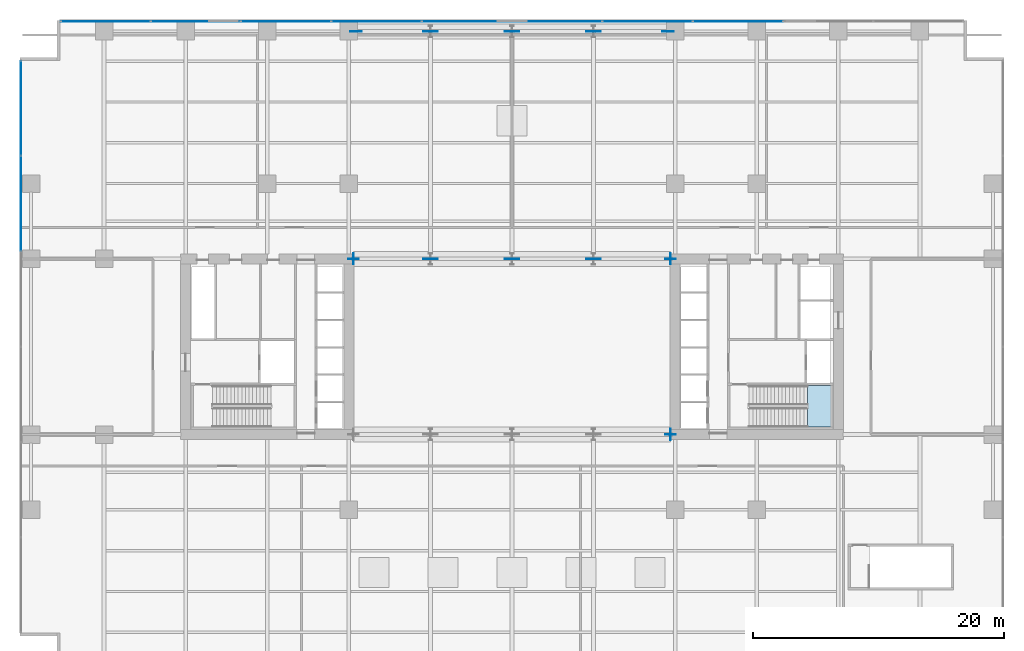
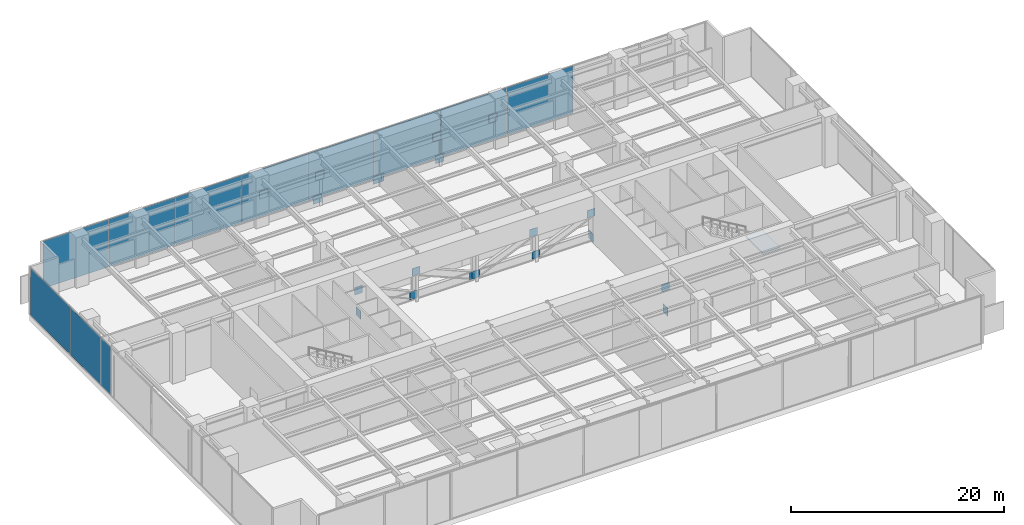
# One storey, part 18 of 25: 30 plates, 1 slab, 3 elements without a shape of their own.
"""IFC4 building model written with IfcOpenShell, lengths in metres."""

from ifc_helpers import new_model, si_unit, direction, frame, origin, origin_2d, place, context, subcontext, project, spatial, polyline, rectangle, outline, extrude, material, layer, layer_set, type_object, element, aggregate, save


model = new_model("IFC4")

# Units and contexts
model_context = context("Model", 3, precision=1e-05, world=origin(), true_north=direction((0.0, 1.0)))
body_context = subcontext(model_context, "Body", "Model", "MODEL_VIEW")
ifc_project = project(units=[si_unit("LENGTHUNIT", "METRE"), si_unit("AREAUNIT", "SQUARE_METRE"), si_unit("VOLUMEUNIT", "CUBIC_METRE"), si_unit("PLANEANGLEUNIT", "RADIAN"), si_unit("MASSUNIT", "GRAM", prefix="KILO")], contexts=[model_context])

# Site, building, storey
site_placement = place(None, origin())
site = spatial("IfcSite", under=ifc_project, at=site_placement, CompositionType="ELEMENT")
building_placement = place(site_placement, origin())
building = spatial("IfcBuilding", under=site, at=building_placement, Name="Putna Gate Headquarters", CompositionType="ELEMENT")
storey_placement = place(building_placement, frame((0.0, 0.0, 22.0)))
storey = spatial("IfcBuildingStorey", under=building, at=storey_placement, Name="L04", CompositionType="ELEMENT", Elevation=22.0)

# Stair, slab
ifc_material_1 = material(Name="Concrete C40/50", Category="concrete")
stair_type = type_object("IfcStairType", Name="STAIR-ST2", PredefinedType="HALF_TURN_STAIR", material=ifc_material_1)
stair_placement = place(storey_placement, origin())
stair = element("IfcStair", 1, at=stair_placement, inside=storey, type_object=stair_type, Name="L04 East Core Exit Stair ST2", PredefinedType="HALF_TURN_STAIR")
ifc_layer_1 = layer(ifc_material_1, 0.199951171875)
ifc_layer_set_1 = layer_set([ifc_layer_1], Name="Concrete C40/50")
slab_type = type_object("IfcSlabType", Name="LANDING-ST2", PredefinedType="LANDING", material=ifc_layer_set_1)
slab_placement = place(storey_placement, frame((0.0, 0.0, 2.699951171875)))
slab = element("IfcSlab", 2, at=slab_placement, type_object=slab_type, Name="ST2 landing 1", PredefinedType="LANDING", context=body_context, shape_type="SweptSolid", body=[
    extrude(outline(polyline([(62.5400390625, 19.60009765625), (64.39990234375, 19.60009765625), (64.39990234375, 22.89990234375), (62.5400390625, 22.89990234375), (62.5400390625, 19.60009765625)])), origin(), (0.0, 0.0, 1.0), 0.199951171875),
])
aggregate(stair, [slab])

# Curtain wall, plates
ifc_material_2 = material(Name="Anodised bronze aluminium curtain wall", Category="aluminium")
ifc_layer_2 = layer(ifc_material_2, 0.159912109375)
ifc_layer_set_2 = layer_set([ifc_layer_2], Name="Anodised bronze aluminium curtain wall")
curtain_wall_type = type_object("IfcCurtainWallType", Name="CW-SYS-CRN", PredefinedType="USERDEFINED", material=ifc_layer_set_2)
curtain_wall_1_placement = place(storey_placement, origin())
curtain_wall_1 = element("IfcCurtainWall", 3, at=curtain_wall_1_placement, inside=storey, type_object=curtain_wall_type, Name="L04 Acoustic Louvre North Enclosure", ObjectType="STICK CURTAIN WALL", PredefinedType="USERDEFINED")
ifc_material_3 = material(Name="Anodised bronze acoustic louvre panel", Category="aluminium")
ifc_layer_3 = layer(ifc_material_3, 0.044921875)
ifc_layer_set_3 = layer_set([ifc_layer_3], Name="Anodised bronze acoustic louvre panel")
plate_type_1 = type_object("IfcPlateType", Name="PAN-CWP-CR", PredefinedType="CURTAIN_PANEL", material=ifc_layer_set_3)
plate_1_placement = place(storey_placement, frame((6.6162109375, 51.919921875, 0.06494140625), z_axis=(0.0, 0.0, 1.0), x_axis=(1.0, 0.0, 0.0)))
plate_1 = element("IfcPlate", 4, at=plate_1_placement, type_object=plate_type_1, Name="CWS-CR panel 1.1", PredefinedType="CURTAIN_PANEL", context=body_context, shape_type="SweptSolid", body=[
    extrude(rectangle(XDim=7.1025390625, YDim=0.044921875, at=origin_2d()), origin(), (0.0, 0.0, 1.0), 5.419921875),
])
plate_2_placement = place(storey_placement, frame((13.800048828125, 51.919921875, 0.06494140625), z_axis=(0.0, 0.0, 1.0), x_axis=(1.0, 0.0, 0.0)))
plate_2 = element("IfcPlate", 5, at=plate_2_placement, type_object=plate_type_1, Name="CWS-CR panel 2.1", PredefinedType="CURTAIN_PANEL", context=body_context, shape_type="SweptSolid", body=[
    extrude(rectangle(XDim=7.135009765625, YDim=0.044921875, at=origin_2d()), origin(), (0.0, 0.0, 1.0), 5.419921875),
])
plate_3_placement = place(storey_placement, frame((21.0, 51.919921875, 0.06494140625), z_axis=(0.0, 0.0, 1.0), x_axis=(1.0, 0.0, 0.0)))
plate_3 = element("IfcPlate", 6, at=plate_3_placement, type_object=plate_type_1, Name="CWS-CR panel 3.1", PredefinedType="CURTAIN_PANEL", context=body_context, shape_type="SweptSolid", body=[
    extrude(rectangle(XDim=7.135009765625, YDim=0.044921875, at=origin_2d()), origin(), (0.0, 0.0, 1.0), 5.419921875),
])
plate_4_placement = place(storey_placement, frame((28.199951171875, 51.919921875, 0.06494140625), z_axis=(0.0, 0.0, 1.0), x_axis=(1.0, 0.0, 0.0)))
plate_4 = element("IfcPlate", 7, at=plate_4_placement, type_object=plate_type_1, Name="CWS-CR panel 4.1", PredefinedType="CURTAIN_PANEL", context=body_context, shape_type="SweptSolid", body=[
    extrude(rectangle(XDim=7.135009765625, YDim=0.044921875, at=origin_2d()), origin(), (0.0, 0.0, 1.0), 5.419921875),
])
plate_5_placement = place(storey_placement, frame((35.39990234375, 51.919921875, 0.06494140625), z_axis=(0.0, 0.0, 1.0), x_axis=(1.0, 0.0, 0.0)))
plate_5 = element("IfcPlate", 8, at=plate_5_placement, type_object=plate_type_1, Name="CWS-CR panel 5.1", PredefinedType="CURTAIN_PANEL", context=body_context, shape_type="SweptSolid", body=[
    extrude(rectangle(XDim=7.135009765625, YDim=0.044921875, at=origin_2d()), origin(), (0.0, 0.0, 1.0), 5.419921875),
])
plate_6_placement = place(storey_placement, frame((42.60009765625, 51.919921875, 0.06494140625), z_axis=(0.0, 0.0, 1.0), x_axis=(1.0, 0.0, 0.0)))
plate_6 = element("IfcPlate", 9, at=plate_6_placement, type_object=plate_type_1, Name="CWS-CR panel 6.1", PredefinedType="CURTAIN_PANEL", context=body_context, shape_type="SweptSolid", body=[
    extrude(rectangle(XDim=7.135009765625, YDim=0.044921875, at=origin_2d()), origin(), (0.0, 0.0, 1.0), 5.419921875),
])
plate_7_placement = place(storey_placement, frame((49.800048828125, 51.919921875, 0.06494140625), z_axis=(0.0, 0.0, 1.0), x_axis=(1.0, 0.0, 0.0)))
plate_7 = element("IfcPlate", 10, at=plate_7_placement, type_object=plate_type_1, Name="CWS-CR panel 7.1", PredefinedType="CURTAIN_PANEL", context=body_context, shape_type="SweptSolid", body=[
    extrude(rectangle(XDim=7.135009765625, YDim=0.044921875, at=origin_2d()), origin(), (0.0, 0.0, 1.0), 5.419921875),
])
plate_8_placement = place(storey_placement, frame((57.0, 51.919921875, 0.06494140625), z_axis=(0.0, 0.0, 1.0), x_axis=(1.0, 0.0, 0.0)))
plate_8 = element("IfcPlate", 11, at=plate_8_placement, type_object=plate_type_1, Name="CWS-CR panel 8.1", PredefinedType="CURTAIN_PANEL", context=body_context, shape_type="SweptSolid", body=[
    extrude(rectangle(XDim=7.135009765625, YDim=0.044921875, at=origin_2d()), origin(), (0.0, 0.0, 1.0), 5.419921875),
])
aggregate(curtain_wall_1, [plate_1, plate_2, plate_3, plate_4, plate_5, plate_6, plate_7, plate_8])

curtain_wall_2_placement = place(storey_placement, origin())
curtain_wall_2 = element("IfcCurtainWall", 12, at=curtain_wall_2_placement, inside=storey, type_object=curtain_wall_type, Name="L04 Acoustic Louvre West Enclosure", ObjectType="STICK CURTAIN WALL", PredefinedType="USERDEFINED")
plate_9_placement = place(storey_placement, frame((-0.1201171875, 37.39990234375, 0.06494140625), z_axis=(0.0, 0.0, 1.0), x_axis=(0.0, 1.0, 0.0)))
plate_9 = element("IfcPlate", 13, at=plate_9_placement, type_object=plate_type_1, Name="CWS-CR panel 5.1", PredefinedType="CURTAIN_PANEL", context=body_context, shape_type="SweptSolid", body=[
    extrude(rectangle(XDim=7.534912109375, YDim=0.044921875, at=origin_2d()), origin(), (0.0, 0.0, 1.0), 5.419921875),
])
plate_10_placement = place(storey_placement, frame((-0.1201171875, 44.983642578125, 0.06494140625), z_axis=(0.0, 0.0, 1.0), x_axis=(0.0, 1.0, 0.0)))
plate_10 = element("IfcPlate", 14, at=plate_10_placement, type_object=plate_type_1, Name="CWS-CR panel 6.1", PredefinedType="CURTAIN_PANEL", context=body_context, shape_type="SweptSolid", body=[
    extrude(rectangle(XDim=7.50244140625, YDim=0.044921875, at=origin_2d()), origin(), (0.0, 0.0, 1.0), 5.419921875),
])
aggregate(curtain_wall_2, [plate_9, plate_10])

# Plates
ifc_material_4 = material(Name="Steel S460M", Category="steel")
ifc_layer_4 = layer(ifc_material_4, 0.0400390625)
ifc_layer_set_4 = layer_set([ifc_layer_4], Name="Steel S460M")
plate_type_2 = type_object("IfcPlateType", Name="PLT-NODE-AN1", PredefinedType="SHEET", material=ifc_layer_set_4)
for number, where, z_axis, x_axis, name in (
    (15, (26.56005859375, 51.1201171875, 2.72998046875), (0.0, 0.0, 1.0), (1.0, 0.0, 0.0), "L04 Transfer Truss Node Plate N-1-1"),
    (16, (32.360107421875, 51.1201171875, 0.10009765625), (0.0, 0.0, 1.0), (1.0, 0.0, 0.0), "L04 Transfer Truss Node Plate N-1-2"),
    (17, (32.639892578125, 51.1201171875, 2.72998046875), (0.0, 0.0, 1.0), (1.0, 0.0, 0.0), "L04 Transfer Truss Node Plate N-2-1"),
    (18, (38.860107421875, 51.1201171875, 0.10009765625), (0.0, 0.0, 1.0), (1.0, 0.0, 0.0), "L04 Transfer Truss Node Plate N-2-2"),
    (19, (39.139892578125, 51.1201171875, 0.10009765625), (0.0, 0.0, 1.0), (1.0, 0.0, 0.0), "L04 Transfer Truss Node Plate N-3-1"),
    (20, (45.360107421875, 51.1201171875, 2.72998046875), (0.0, 0.0, 1.0), (1.0, 0.0, 0.0), "L04 Transfer Truss Node Plate N-3-2"),
    (21, (45.639892578125, 51.1201171875, 0.10009765625), (0.0, 0.0, 1.0), (1.0, 0.0, 0.0), "L04 Transfer Truss Node Plate N-4-1"),
    (22, (51.43994140625, 51.1201171875, 2.72998046875), (0.0, 0.0, 1.0), (1.0, 0.0, 0.0), "L04 Transfer Truss Node Plate N-4-2"),
):
    element("IfcPlate", number, at=place(storey_placement, frame(where, z_axis=z_axis, x_axis=x_axis)), inside=storey, type_object=plate_type_2, Name=name, PredefinedType="SHEET", context=body_context, shape_type="SweptSolid", body=[
        extrude(rectangle(XDim=0.89990234375, YDim=0.0400390625, at=origin_2d()), origin(), (0.0, 0.0, 1.0), 0.89990234375),
    ])
ifc_layer_5 = layer(ifc_material_4, 0.0400390625)
ifc_layer_set_5 = layer_set([ifc_layer_5], Name="Steel S460M")
plate_type_3 = type_object("IfcPlateType", Name="PLT-NODE-ON1", PredefinedType="SHEET", material=ifc_layer_set_5)
plate_11_placement = place(storey_placement, frame((51.6201171875, 19.0, 0.10009765625), z_axis=(0.0, 0.0, 1.0), x_axis=(1.0, 0.0, 0.0)))
element("IfcPlate", 23, at=plate_11_placement, inside=storey, type_object=plate_type_3, Name="L04 Transfer Truss Cast-In Core Embed Plate AS-BC4", PredefinedType="SHEET", context=body_context, shape_type="SweptSolid", body=[
    extrude(rectangle(XDim=0.0380859375, YDim=0.89990234375, at=origin_2d()), origin(), (0.0, 0.0, 1.0), 0.89990234375),
])
plate_12_placement = place(storey_placement, frame((51.6201171875, 19.0, 2.7548828125), z_axis=(0.0, 0.0, 1.0), x_axis=(1.0, 0.0, 0.0)))
element("IfcPlate", 24, at=plate_12_placement, inside=storey, type_object=plate_type_3, Name="L04 Transfer Truss Node Plate AS-4-2", PredefinedType="SHEET", context=body_context, shape_type="SweptSolid", body=[
    extrude(rectangle(XDim=0.85009765625, YDim=0.0400390625, at=origin_2d()), origin(), (0.0, 0.0, 1.0), 0.85009765625),
])
plate_13_placement = place(storey_placement, frame((26.3798828125, 33.0, 0.10009765625), z_axis=(0.0, 0.0, 1.0), x_axis=(1.0, 0.0, 0.0)))
element("IfcPlate", 25, at=plate_13_placement, inside=storey, type_object=plate_type_3, Name="L04 Transfer Truss Cast-In Core Embed Plate AN-BC1", PredefinedType="SHEET", context=body_context, shape_type="SweptSolid", body=[
    extrude(rectangle(XDim=0.0380859375, YDim=0.89990234375, at=origin_2d()), origin(), (0.0, 0.0, 1.0), 0.89990234375),
])
for number, where, z_axis, x_axis, name in (
    (26, (26.3798828125, 33.0, 2.7548828125), (0.0, 0.0, 1.0), (1.0, 0.0, 0.0), "L04 Transfer Truss Node Plate AN-1-1"),
    (27, (32.360107421875, 33.0, 0.125), (0.0, 0.0, 1.0), (1.0, 0.0, 0.0), "L04 Transfer Truss Node Plate AN-1-2"),
    (28, (32.639892578125, 33.0, 2.7548828125), (0.0, 0.0, 1.0), (1.0, 0.0, 0.0), "L04 Transfer Truss Node Plate AN-2-1"),
    (29, (38.860107421875, 33.0, 0.125), (0.0, 0.0, 1.0), (1.0, 0.0, 0.0), "L04 Transfer Truss Node Plate AN-2-2"),
    (30, (39.139892578125, 33.0, 0.125), (0.0, 0.0, 1.0), (1.0, 0.0, 0.0), "L04 Transfer Truss Node Plate AN-3-1"),
    (31, (45.360107421875, 33.0, 2.7548828125), (0.0, 0.0, 1.0), (1.0, 0.0, 0.0), "L04 Transfer Truss Node Plate AN-3-2"),
):
    element("IfcPlate", number, at=place(storey_placement, frame(where, z_axis=z_axis, x_axis=x_axis)), inside=storey, type_object=plate_type_3, Name=name, PredefinedType="SHEET", context=body_context, shape_type="SweptSolid", body=[
        extrude(rectangle(XDim=0.85009765625, YDim=0.0400390625, at=origin_2d()), origin(), (0.0, 0.0, 1.0), 0.85009765625),
    ])
plate_14_placement = place(storey_placement, frame((51.6201171875, 33.0, 0.10009765625), z_axis=(0.0, 0.0, 1.0), x_axis=(1.0, 0.0, 0.0)))
element("IfcPlate", 32, at=plate_14_placement, inside=storey, type_object=plate_type_3, Name="L04 Transfer Truss Cast-In Core Embed Plate AN-BC4", PredefinedType="SHEET", context=body_context, shape_type="SweptSolid", body=[
    extrude(rectangle(XDim=0.0380859375, YDim=0.89990234375, at=origin_2d()), origin(), (0.0, 0.0, 1.0), 0.89990234375),
])
for number, where, z_axis, x_axis, name in (
    (33, (45.639892578125, 33.0, 0.125), (0.0, 0.0, 1.0), (1.0, 0.0, 0.0), "L04 Transfer Truss Node Plate AN-4-1"),
    (34, (51.6201171875, 33.0, 2.7548828125), (0.0, 0.0, 1.0), (1.0, 0.0, 0.0), "L04 Transfer Truss Node Plate AN-4-2"),
):
    element("IfcPlate", number, at=place(storey_placement, frame(where, z_axis=z_axis, x_axis=x_axis)), inside=storey, type_object=plate_type_3, Name=name, PredefinedType="SHEET", context=body_context, shape_type="SweptSolid", body=[
        extrude(rectangle(XDim=0.85009765625, YDim=0.0400390625, at=origin_2d()), origin(), (0.0, 0.0, 1.0), 0.85009765625),
    ])

save(model, "model.ifc")
